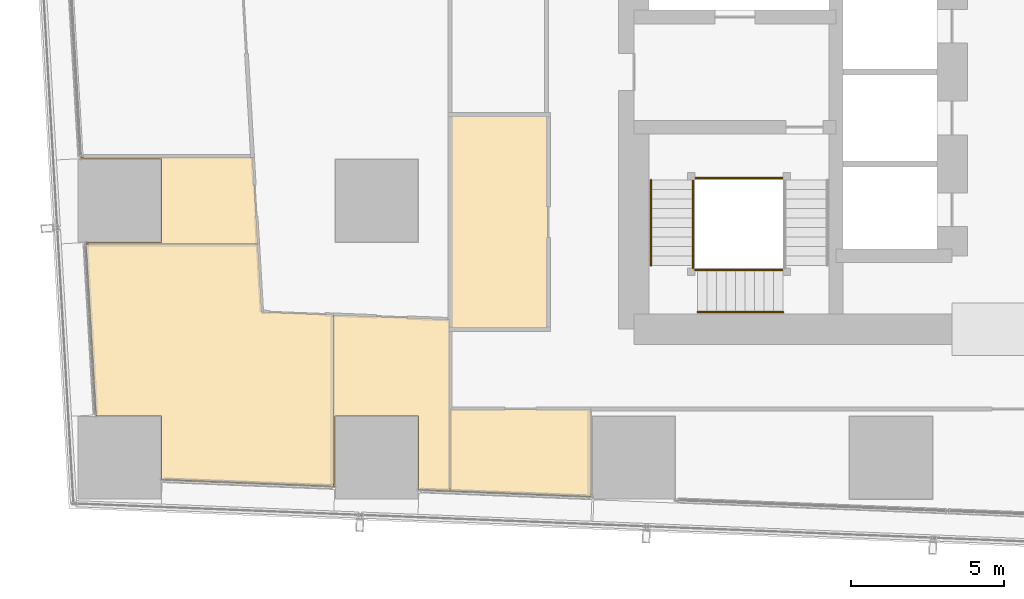
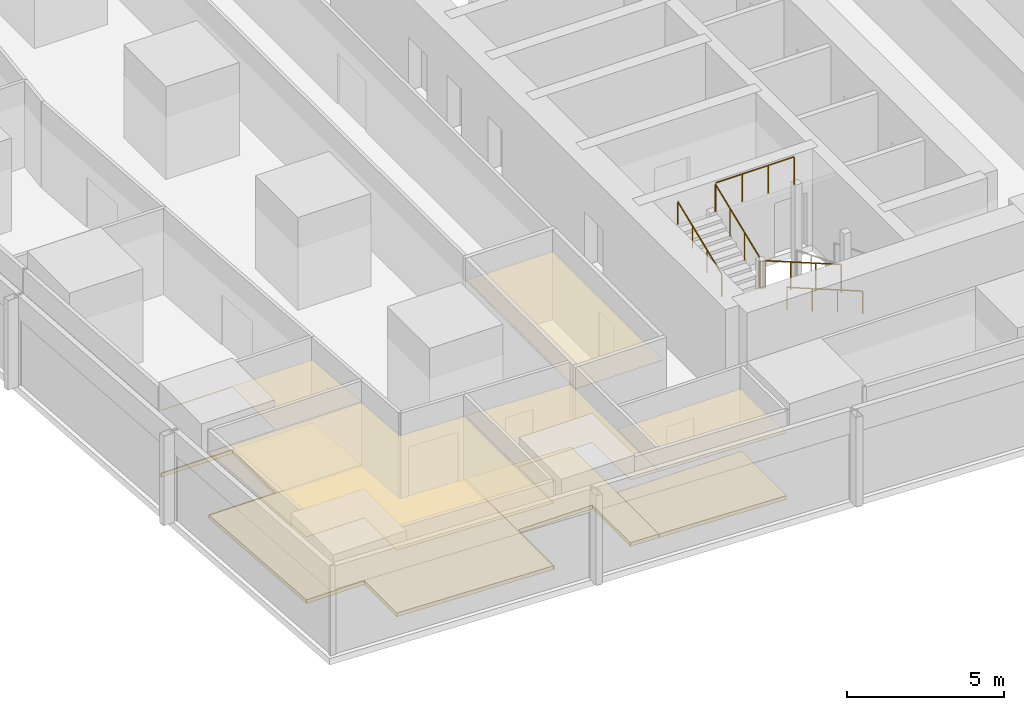
# One storey, part 28 of 36: 9 coverings, 7 railings.
"""IFC4 building model written with IfcOpenShell, lengths in metres."""

from ifc_helpers import new_model, si_unit, direction, frame, origin, origin_2d, place, context, subcontext, project, spatial, polyline, circle, outline, extrude, material, layer, layer_set, type_object, element, save


model = new_model("IFC4")

# Units and contexts
model_context = context("Model", 3, precision=1e-05, world=origin(), true_north=direction((0.0, 1.0)))
body_context = subcontext(model_context, "Body", "Model", "MODEL_VIEW")
ifc_project = project(units=[si_unit("LENGTHUNIT", "METRE"), si_unit("AREAUNIT", "SQUARE_METRE"), si_unit("VOLUMEUNIT", "CUBIC_METRE"), si_unit("PLANEANGLEUNIT", "RADIAN"), si_unit("MASSUNIT", "GRAM", prefix="KILO")], contexts=[model_context])

# Site, building, storey
site_placement = place(None, origin())
site = spatial("IfcSite", under=ifc_project, at=site_placement, CompositionType="ELEMENT")
building_placement = place(site_placement, origin())
building = spatial("IfcBuilding", under=site, at=building_placement, Name="Rekha Terrace Tower", CompositionType="ELEMENT")
storey_placement = place(building_placement, frame((0.0, 0.0, 172.699951171875)))
storey = spatial("IfcBuildingStorey", under=building, at=storey_placement, Name="L43", CompositionType="ELEMENT", Elevation=172.699951171875)

# Coverings
ifc_material_1 = material(Name="Mineral fibre tile in exposed grid", Category="finish")
ifc_layer_1 = layer(ifc_material_1, 0.02001953125)
ifc_layer_set_1 = layer_set([ifc_layer_1], Name="Mineral fibre tile in exposed grid")
covering_type_1 = type_object("IfcCoveringType", Name="CL1 600x1200 office grid ceiling", PredefinedType="CEILING", material=ifc_layer_set_1)
covering_1_placement = place(storey_placement, frame((0.0, 0.0, 2.580078125)))
element("IfcCovering", 1, at=covering_1_placement, inside=storey, type_object=covering_type_1, Name="Ceiling L43-16", PredefinedType="CEILING", context=body_context, shape_type="SweptSolid", body=[
    extrude(outline(polyline([(9.764892578125, 23.8349609375), (7.301025390625, 23.8349609375), (7.302978515625, 23.79296875), (12.9130859375, 23.79296875), (12.7470703125, 26.60693359375), (7.137939453125, 26.60693359375), (7.139892578125, 26.56494140625), (9.764892578125, 26.56494140625), (9.764892578125, 23.8349609375)])), origin(), (0.0, 0.0, 1.0), 0.02001953125),
])
covering_2_placement = place(storey_placement, frame((0.0, 0.0, 2.580078125)))
element("IfcCovering", 2, at=covering_2_placement, inside=storey, type_object=covering_type_1, Name="Ceiling L43-17", PredefinedType="CEILING", context=body_context, shape_type="SweptSolid", body=[
    extrude(outline(polyline([(9.764892578125, 16.091064453125), (15.39306640625, 15.865966796875), (15.39306640625, 21.470947265625), (13.0439453125, 21.56396484375), (12.9130859375, 23.7919921875), (7.302978515625, 23.7919921875), (7.635009765625, 18.1650390625), (9.764892578125, 18.1650390625), (9.764892578125, 16.091064453125)])), origin(), (0.0, 0.0, 1.0), 0.02001953125),
])
covering_3_placement = place(storey_placement, frame((0.0, 0.0, 2.580078125)))
element("IfcCovering", 3, at=covering_3_placement, inside=storey, type_object=covering_type_1, Name="Ceiling L43-18", PredefinedType="CEILING", context=body_context, shape_type="SweptSolid", body=[
    extrude(outline(polyline([(18.1650390625, 18.1650390625), (18.1650390625, 15.7548828125), (19.197998046875, 15.714111328125), (19.197998046875, 21.319091796875), (15.39404296875, 21.469970703125), (15.39404296875, 15.865966796875), (15.43505859375, 15.864013671875), (15.43505859375, 18.1650390625), (18.1650390625, 18.1650390625)])), origin(), (0.0, 0.0, 1.0), 0.02001953125),
])
covering_4_placement = place(storey_placement, frame((0.0, 0.0, 2.580078125)))
element("IfcCovering", 4, at=covering_4_placement, inside=storey, type_object=covering_type_1, Name="Ceiling L43-19", PredefinedType="CEILING", context=body_context, shape_type="SweptSolid", body=[
    extrude(outline(polyline([(19.198974609375, 15.714111328125), (23.79296875, 15.531005859375), (23.79296875, 18.39990234375), (19.198974609375, 18.39990234375), (19.198974609375, 15.714111328125)])), origin(), (0.0, 0.0, 1.0), 0.02001953125),
])
ifc_material_2 = material(Name="Fibre cement board", Category="finish")
ifc_layer_2 = layer(ifc_material_2, 0.014892578125)
ifc_layer_set_2 = layer_set([ifc_layer_2], Name="Fibre cement board")
covering_type_2 = type_object("IfcCoveringType", Name="CL2 moisture-resistant board ceiling", PredefinedType="CEILING", material=ifc_layer_set_2)
covering_5_placement = place(storey_placement, frame((0.0, 0.0, 2.5849609375)))
element("IfcCovering", 5, at=covering_5_placement, inside=storey, type_object=covering_type_2, Name="Ceiling L43-WCM", PredefinedType="CEILING", context=body_context, shape_type="SweptSolid", body=[
    extrude(outline(polyline([(22.39990234375, 28.0), (19.199951171875, 28.0), (19.199951171875, 21.0), (22.39990234375, 21.0), (22.39990234375, 28.0)])), origin(), (0.0, 0.0, 1.0), 0.01513671875),
])

# Railings
ifc_material_3 = material(Name="Stainless steel balustrade", Category="steel")
railing_type_1 = type_object("IfcRailingType", Name="GR1 1100 stair guard", PredefinedType="GUARDRAIL", material=ifc_material_3)
railing_1_placement = place(storey_placement, frame((30.074951171875, 22.93994140625, 1.375)))
element("IfcRailing", 6, at=railing_1_placement, inside=storey, type_object=railing_type_1, Name="Guard ST1 L43 flight 2", PredefinedType="GUARDRAIL", context=body_context, shape_type="SweptSolid", body=[
    extrude(circle(Radius=0.02392578125, at=origin_2d()), frame((0.0, 0.0, 1.076171875), z_axis=(-0.927443287984, 0.0, 0.373963831907), x_axis=(0.0, -1.0, 0.0)), (0.0, 0.0, 1.0), 3.00830078125),
    extrude(circle(Radius=0.02099609375, at=origin_2d()), origin(), (0.0, 0.0, 1.0), 1.052001953125),
    extrude(circle(Radius=0.02099609375, at=origin_2d()), frame((-0.929931640625, 0.0, 0.375)), (0.0, 0.0, 1.0), 1.052001953125),
    extrude(circle(Radius=0.02099609375, at=origin_2d()), frame((-1.860107421875, 0.0, 0.75)), (0.0, 0.0, 1.0), 1.052001953125),
    extrude(circle(Radius=0.02099609375, at=origin_2d()), frame((-2.7900390625, 0.0, 1.125)), (0.0, 0.0, 1.0), 1.052001953125),
])
railing_2_placement = place(storey_placement, frame((27.139892578125, 23.0849609375, 2.625)))
element("IfcRailing", 7, at=railing_2_placement, inside=storey, type_object=railing_type_1, Name="Guard ST1 L43 flight 3", PredefinedType="GUARDRAIL", context=body_context, shape_type="SweptSolid", body=[
    extrude(circle(Radius=0.02392578125, at=origin_2d()), frame((0.0, 0.0, 1.076171875), z_axis=(0.0, 0.927443287984, 0.373963831907), x_axis=(-1.0, 0.0, 0.0)), (0.0, 0.0, 1.0), 3.00830078125),
    extrude(circle(Radius=0.02099609375, at=origin_2d()), origin(), (0.0, 0.0, 1.0), 1.052001953125),
    extrude(circle(Radius=0.02099609375, at=origin_2d()), frame((0.0, 0.929931640625, 0.375)), (0.0, 0.0, 1.0), 1.052001953125),
    extrude(circle(Radius=0.02099609375, at=origin_2d()), frame((0.0, 1.860107421875, 0.75)), (0.0, 0.0, 1.0), 1.052001953125),
    extrude(circle(Radius=0.02099609375, at=origin_2d()), frame((0.0, 2.7900390625, 1.125)), (0.0, 0.0, 1.0), 1.052001953125),
])
railing_3_placement = place(storey_placement, frame((27.284912109375, 22.93994140625, 2.5)))
element("IfcRailing", 8, at=railing_3_placement, inside=storey, type_object=railing_type_1, Name="Guard ST1 L43 landing 2", PredefinedType="GUARDRAIL", context=body_context, shape_type="SweptSolid", body=[
    extrude(circle(Radius=0.02392578125, at=origin_2d()), frame((0.0, 0.0, 1.076171875), z_axis=(-1.0, 0.0, 0.0), x_axis=(0.0, -1.0, 0.0)), (0.0, 0.0, 1.0), 0.0849609375),
    extrude(circle(Radius=0.02099609375, at=origin_2d()), origin(), (0.0, 0.0, 1.0), 1.052001953125),
    extrude(circle(Radius=0.02099609375, at=origin_2d()), frame((-0.0849609375, 0.0, 0.0)), (0.0, 0.0, 1.0), 1.052001953125),
])
railing_4_placement = place(storey_placement, frame((27.139892578125, 23.0849609375, 2.5)))
element("IfcRailing", 9, at=railing_4_placement, inside=storey, type_object=railing_type_1, Name="Guard ST1 L43 landing 3", PredefinedType="GUARDRAIL", context=body_context, shape_type="SweptSolid", body=[
    extrude(circle(Radius=0.02392578125, at=origin_2d()), frame((0.0, 0.0, 1.076171875), z_axis=(0.0, -1.0, 0.0), x_axis=(1.0, 0.0, 0.0)), (0.0, 0.0, 1.0), 0.0849609375),
    extrude(circle(Radius=0.02099609375, at=origin_2d()), origin(), (0.0, 0.0, 1.0), 1.052001953125),
    extrude(circle(Radius=0.02099609375, at=origin_2d()), frame((0.0, -0.0849609375, 0.0)), (0.0, 0.0, 1.0), 1.052001953125),
])
railing_5_placement = place(storey_placement, frame((30.074951171875, 25.93505859375, 3.75)))
element("IfcRailing", 10, at=railing_5_placement, inside=storey, type_object=railing_type_1, Name="Guard ST1 L43 landing 4", PredefinedType="GUARDRAIL", context=body_context, shape_type="SweptSolid", body=[
    extrude(circle(Radius=0.02392578125, at=origin_2d()), frame((0.0, 0.0, 1.076171875), z_axis=(-1.0, 0.0, 0.0), x_axis=(0.0, -1.0, 0.0)), (0.0, 0.0, 1.0), 2.875),
    extrude(circle(Radius=0.02099609375, at=origin_2d()), origin(), (0.0, 0.0, 1.0), 1.052001953125),
    extrude(circle(Radius=0.02099609375, at=origin_2d()), frame((-0.958251953125, 0.0, 0.0)), (0.0, 0.0, 1.0), 1.052001953125),
    extrude(circle(Radius=0.02099609375, at=origin_2d()), frame((-1.916748046875, 0.0, 0.0)), (0.0, 0.0, 1.0), 1.052001953125),
    extrude(circle(Radius=0.02099609375, at=origin_2d()), frame((-2.875, 0.0, 0.0)), (0.0, 0.0, 1.0), 1.052001953125),
])
ifc_material_4 = material(Name="Stainless steel tube", Category="steel")
railing_type_2 = type_object("IfcRailingType", Name="HR1 900 stair handrail", PredefinedType="HANDRAIL", material=ifc_material_4)
railing_6_placement = place(storey_placement, frame((30.074951171875, 21.56005859375, 1.375)))
element("IfcRailing", 11, at=railing_6_placement, inside=storey, type_object=railing_type_2, Name="Handrail ST1 L43 flight 2", PredefinedType="HANDRAIL", context=body_context, shape_type="SweptSolid", body=[
    extrude(circle(Radius=0.02392578125, at=origin_2d()), frame((0.0, 0.0, 0.8759765625), z_axis=(-0.927443287984, 0.0, 0.373963831907), x_axis=(0.0, -1.0, 0.0)), (0.0, 0.0, 1.0), 3.00830078125),
    extrude(circle(Radius=0.02099609375, at=origin_2d()), origin(), (0.0, 0.0, 1.0), 0.851806640625),
    extrude(circle(Radius=0.02099609375, at=origin_2d()), frame((-0.929931640625, 0.0, 0.375)), (0.0, 0.0, 1.0), 0.851806640625),
    extrude(circle(Radius=0.02099609375, at=origin_2d()), frame((-1.860107421875, 0.0, 0.75)), (0.0, 0.0, 1.0), 0.851806640625),
    extrude(circle(Radius=0.02099609375, at=origin_2d()), frame((-2.7900390625, 0.0, 1.125)), (0.0, 0.0, 1.0), 0.851806640625),
])
railing_7_placement = place(storey_placement, frame((25.760009765625, 23.0849609375, 2.625)))
element("IfcRailing", 12, at=railing_7_placement, inside=storey, type_object=railing_type_2, Name="Handrail ST1 L43 flight 3", PredefinedType="HANDRAIL", context=body_context, shape_type="SweptSolid", body=[
    extrude(circle(Radius=0.02392578125, at=origin_2d()), frame((0.0, 0.0, 0.8759765625), z_axis=(0.0, 0.927443287984, 0.373963831907), x_axis=(-1.0, 0.0, 0.0)), (0.0, 0.0, 1.0), 3.00830078125),
    extrude(circle(Radius=0.02099609375, at=origin_2d()), origin(), (0.0, 0.0, 1.0), 0.851806640625),
    extrude(circle(Radius=0.02099609375, at=origin_2d()), frame((0.0, 0.929931640625, 0.375)), (0.0, 0.0, 1.0), 0.851806640625),
    extrude(circle(Radius=0.02099609375, at=origin_2d()), frame((0.0, 1.860107421875, 0.75)), (0.0, 0.0, 1.0), 0.851806640625),
    extrude(circle(Radius=0.02099609375, at=origin_2d()), frame((0.0, 2.7900390625, 1.125)), (0.0, 0.0, 1.0), 0.851806640625),
])

# Coverings
ifc_material_5 = material(Name="Calcium sulphate panels on steel pedestals", Category="steel")
ifc_layer_3 = layer(ifc_material_5, 0.14990234375)
ifc_layer_set_3 = layer_set([ifc_layer_3], Name="Calcium sulphate panels on steel pedestals")
covering_type_3 = type_object("IfcCoveringType", Name="RF1 150 raised access floor", PredefinedType="FLOORING", material=ifc_layer_set_3)
covering_6_placement = place(storey_placement, origin())
element("IfcCovering", 13, at=covering_6_placement, inside=storey, type_object=covering_type_3, Name="Raised floor L43-16", PredefinedType="FLOORING", context=body_context, shape_type="SweptSolid", body=[
    extrude(outline(polyline([(9.764892578125, 23.8349609375), (7.301025390625, 23.8349609375), (7.302978515625, 23.79296875), (12.9130859375, 23.79296875), (12.7470703125, 26.60693359375), (7.137939453125, 26.60693359375), (7.139892578125, 26.56494140625), (9.764892578125, 26.56494140625), (9.764892578125, 23.8349609375)])), origin(), (0.0, 0.0, 1.0), 0.150146484375),
])
covering_7_placement = place(storey_placement, origin())
element("IfcCovering", 14, at=covering_7_placement, inside=storey, type_object=covering_type_3, Name="Raised floor L43-17", PredefinedType="FLOORING", context=body_context, shape_type="SweptSolid", body=[
    extrude(outline(polyline([(9.764892578125, 16.091064453125), (15.39306640625, 15.865966796875), (15.39306640625, 21.470947265625), (13.0439453125, 21.56396484375), (12.9130859375, 23.7919921875), (7.302978515625, 23.7919921875), (7.635009765625, 18.1650390625), (9.764892578125, 18.1650390625), (9.764892578125, 16.091064453125)])), origin(), (0.0, 0.0, 1.0), 0.150146484375),
])
covering_8_placement = place(storey_placement, origin())
element("IfcCovering", 15, at=covering_8_placement, inside=storey, type_object=covering_type_3, Name="Raised floor L43-18", PredefinedType="FLOORING", context=body_context, shape_type="SweptSolid", body=[
    extrude(outline(polyline([(18.1650390625, 18.1650390625), (18.1650390625, 15.7548828125), (19.197998046875, 15.714111328125), (19.197998046875, 21.319091796875), (15.39404296875, 21.469970703125), (15.39404296875, 15.865966796875), (15.43505859375, 15.864013671875), (15.43505859375, 18.1650390625), (18.1650390625, 18.1650390625)])), origin(), (0.0, 0.0, 1.0), 0.150146484375),
])
covering_9_placement = place(storey_placement, origin())
element("IfcCovering", 16, at=covering_9_placement, inside=storey, type_object=covering_type_3, Name="Raised floor L43-19", PredefinedType="FLOORING", context=body_context, shape_type="SweptSolid", body=[
    extrude(outline(polyline([(19.198974609375, 15.714111328125), (23.79296875, 15.531005859375), (23.79296875, 18.39990234375), (19.198974609375, 18.39990234375), (19.198974609375, 15.714111328125)])), origin(), (0.0, 0.0, 1.0), 0.150146484375),
])

save(model, "model.ifc")
